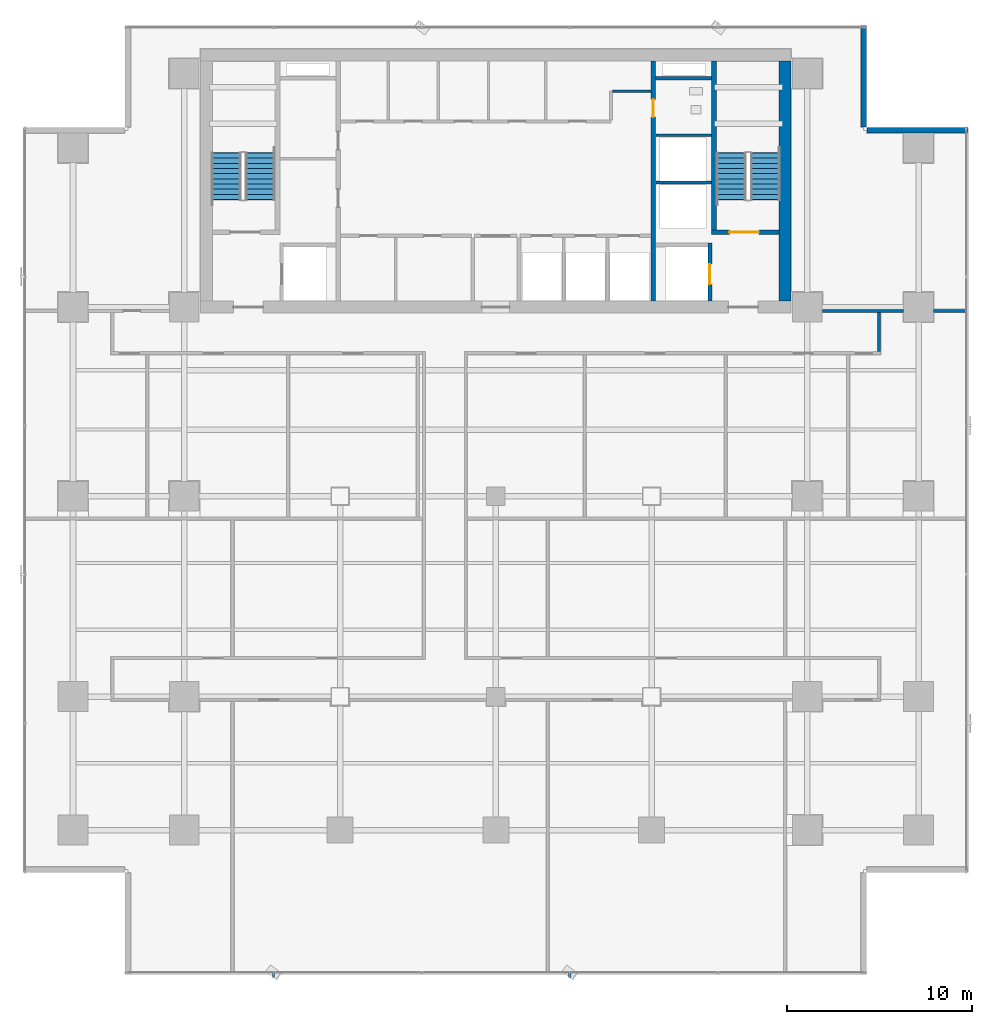
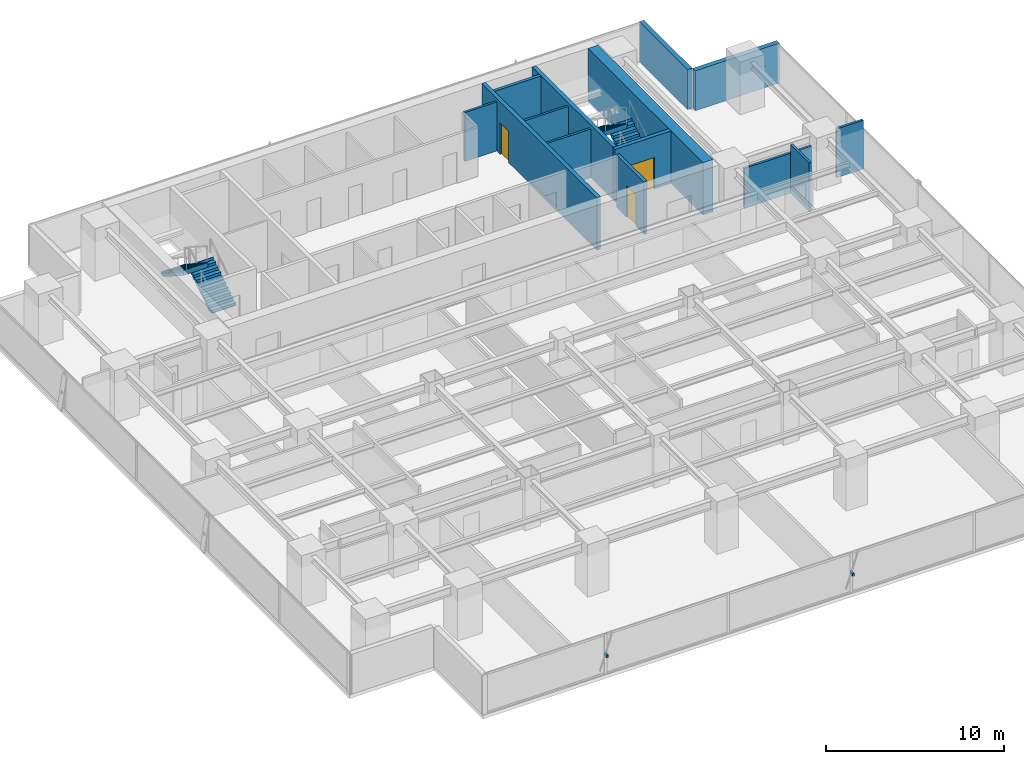
# One storey, part 28 of 34: 14 walls, 4 stair flights, 3 doors, 2 discrete accessories, 3 openings, 2 elements without a shape of their own.
"""IFC4 building model written with IfcOpenShell, lengths in metres."""

from ifc_helpers import new_model, si_unit, direction, frame, frame_2d, origin, origin_2d, place, context, subcontext, project, spatial, polyline, rectangle, outline, extrude, source, transform, mapped, material, layer, layer_set, material_profile, profile_set, type_object, element, fill, aggregate, save


model = new_model("IFC4")

# Units and contexts
model_context = context("Model", 3, precision=1e-05, world=origin(), true_north=direction((0.0, 1.0)))
body_context = subcontext(model_context, "Body", "Model", "MODEL_VIEW")
ifc_project = project(units=[si_unit("LENGTHUNIT", "METRE"), si_unit("AREAUNIT", "SQUARE_METRE"), si_unit("VOLUMEUNIT", "CUBIC_METRE"), si_unit("PLANEANGLEUNIT", "RADIAN"), si_unit("MASSUNIT", "GRAM", prefix="KILO")], contexts=[model_context])

# Site, building, storey
site_placement = place(None, origin())
site = spatial("IfcSite", under=ifc_project, at=site_placement, CompositionType="ELEMENT")
building_placement = place(site_placement, origin())
building = spatial("IfcBuilding", under=site, at=building_placement, Name="Sumidabori Civic Tower", CompositionType="ELEMENT")
storey_placement = place(building_placement, frame((0.0, 0.0, 99.199951171875)))
storey = spatial("IfcBuildingStorey", under=building, at=storey_placement, Name="L25", CompositionType="ELEMENT", Elevation=99.199951171875)

# Walls
ifc_material_1 = material(Name="Concrete C50/60", Category="concrete")
ifc_layer_1 = layer(ifc_material_1, 0.199951171875, Name="Concrete C50/60")
ifc_layer_set_1 = layer_set([ifc_layer_1], Name="Concrete C50/60")
wall_type_1 = type_object("IfcWallType", Name="WL-SHAFT-200", PredefinedType="SHEAR", material=ifc_layer_set_1)
shared_shape_1 = source(origin(), body_context, "Body", "SweptSolid", [
    extrude(rectangle(XDim=3.02001953125, YDim=0.199951171875, at=frame_2d((1.510009765625, 0.0))), origin(), (0.0, 0.0, 1.0), 3.60009765625),
])
wall_1_placement = place(storey_placement, frame((8.625, 22.550048828125, 0.0), z_axis=(0.0, 0.0, 1.0), x_axis=(1.0, 0.0, 0.0)))
element("IfcWall", 1, at=wall_1_placement, inside=storey, type_object=wall_type_1, Name="Core Shear Wall L25 RIS2-S", PredefinedType="SHEAR", context=body_context, shape_type="MappedRepresentation", body=[
    mapped(shared_shape_1, transform((0.0, 0.0, 0.0), x_axis=(1.0, 0.0, 0.0), y_axis=(0.0, 1.0, 0.0), z_axis=(0.0, 0.0, 1.0), scale=1.0)),
])
ifc_material_2 = material(Name="Concrete C60/75", Category="concrete")
ifc_layer_2 = layer(ifc_material_2, 0.64990234375, Name="Concrete C60/75")
ifc_layer_set_2 = layer_set([ifc_layer_2], Name="Concrete C60/75")
wall_type_2 = type_object("IfcWallType", Name="WL-CORE-650", PredefinedType="SHEAR", material=ifc_layer_set_2)
shared_shape_2 = source(origin(), body_context, "Body", "SweptSolid", [
    extrude(rectangle(XDim=12.9501953125, YDim=0.64990234375, at=frame_2d((6.47509765625, 0.0))), origin(), (0.0, 0.0, 1.0), 3.60009765625),
])
wall_2_placement = place(storey_placement, frame((15.60009765625, 10.52490234375, 0.0), z_axis=(0.0, 0.0, 1.0), x_axis=(0.0, 1.0, 0.0)))
element("IfcWall", 2, at=wall_2_placement, inside=storey, type_object=wall_type_2, Name="Core Shear Wall L25 E", PredefinedType="SHEAR", context=body_context, shape_type="MappedRepresentation", body=[
    mapped(shared_shape_2, transform((0.0, 0.0, 0.0), x_axis=(1.0, 0.0, 0.0), y_axis=(0.0, 1.0, 0.0), z_axis=(0.0, 0.0, 1.0), scale=1.0)),
])

# Wall, opening, door
ifc_layer_3 = layer(ifc_material_1, 0.25, Name="Concrete C50/60")
ifc_layer_set_3 = layer_set([ifc_layer_3], Name="Concrete C50/60")
wall_type_3 = type_object("IfcWallType", Name="WL-SHAFT-250", PredefinedType="SHEAR", material=ifc_layer_set_3)
shared_shape_3 = source(origin(), body_context, "Body", "SweptSolid", [
    extrude(rectangle(XDim=12.9501953125, YDim=0.25, at=frame_2d((6.47509765625, 0.0))), origin(), (0.0, 0.0, 1.0), 3.60009765625),
])
wall_3_placement = place(storey_placement, frame((8.5, 10.52490234375, 0.0), z_axis=(0.0, 0.0, 1.0), x_axis=(0.0, 1.0, 0.0)))
wall_3 = element("IfcWall", 3, at=wall_3_placement, inside=storey, type_object=wall_type_3, Name="Core Shear Wall L25 WEB-E", PredefinedType="SHEAR", context=body_context, shape_type="MappedRepresentation", body=[
    mapped(shared_shape_3, transform((0.0, 0.0, 0.0), x_axis=(1.0, 0.0, 0.0), y_axis=(0.0, 1.0, 0.0), z_axis=(0.0, 0.0, 1.0), scale=1.0)),
])
opening_1_placement = place(wall_3_placement, frame((9.925048828125, 0.0, 0.0)))
opening_1 = element("IfcOpeningElement", 4, at=opening_1_placement, cuts=wall_3, Name="Opening DR-2", PredefinedType="OPENING", context=body_context, shape_type="SweptSolid", body=[
    extrude(rectangle(XDim=0.949951171875, YDim=2.14990234375, at=frame_2d((0.47509765625, 1.074951171875))), frame((0.0, 0.136962890625, 0.0), z_axis=(0.0, -1.0, 0.0), x_axis=(1.0, 0.0, 0.0)), (0.0, 0.0, 1.0), 0.27392578125),
])
ifc_material_3 = material(Name="Japanese Hinoki Timber", Category="wood")
door_type_1 = type_object("IfcDoorType", Name="DR-INT-950", OperationType="NOTDEFINED", PredefinedType="DOOR", material=ifc_material_3)
shared_shape_4 = source(origin(), body_context, "Body", "SweptSolid", [
    extrude(rectangle(XDim=0.949951171875, YDim=2.14990234375, at=frame_2d((0.47509765625, 1.074951171875))), frame((0.0, 0.02490234375, 0.0), z_axis=(0.0, -1.0, 0.0), x_axis=(1.0, 0.0, 0.0)), (0.0, 0.0, 1.0), 0.050048828125),
])
door_1_placement = place(opening_1_placement, origin())
door_1 = element("IfcDoor", 5, at=door_1_placement, inside=storey, type_object=door_type_1, Name="Door DR:L25:WC-ACC", OperationType="SINGLE_SWING_RIGHT", OverallHeight=2.14990234375, OverallWidth=0.949951171875, PredefinedType="DOOR", context=body_context, shape_type="MappedRepresentation", body=[
    mapped(shared_shape_4, transform((0.0, 0.0, 0.0), x_axis=(1.0, 0.0, 0.0), y_axis=(0.0, 1.0, 0.0), z_axis=(0.0, 0.0, 1.0), scale=1.0)),
])
fill(opening_1, door_1)

shared_shape_5 = source(origin(), body_context, "Body", "SweptSolid", [
    extrude(rectangle(XDim=3.6298828125, YDim=0.25, at=frame_2d((1.81494140625, 0.0))), origin(), (0.0, 0.0, 1.0), 3.60009765625),
])
wall_4_placement = place(storey_placement, frame((11.64501953125, 14.25, 0.0), z_axis=(0.0, 0.0, 1.0), x_axis=(1.0, 0.0, 0.0)))
wall_4 = element("IfcWall", 6, at=wall_4_placement, inside=storey, type_object=wall_type_3, Name="Core Shear Wall L25 ST2-S", PredefinedType="SHEAR", context=body_context, shape_type="MappedRepresentation", body=[
    mapped(shared_shape_5, transform((0.0, 0.0, 0.0), x_axis=(1.0, 0.0, 0.0), y_axis=(0.0, 1.0, 0.0), z_axis=(0.0, 0.0, 1.0), scale=1.0)),
])
opening_2_placement = place(wall_4_placement, frame((0.949951171875, 0.0, 0.0)))
opening_2 = element("IfcOpeningElement", 7, at=opening_2_placement, cuts=wall_4, Name="Opening DR-FD4", PredefinedType="OPENING", context=body_context, shape_type="SweptSolid", body=[
    extrude(rectangle(XDim=1.60009765625, YDim=2.14990234375, at=frame_2d((0.800048828125, 1.074951171875))), frame((0.0, 0.136962890625, 0.0), z_axis=(0.0, -1.0, 0.0), x_axis=(1.0, 0.0, 0.0)), (0.0, 0.0, 1.0), 0.27392578125),
])
ifc_material_4 = material(Name="Steel SN490", Category="steel")
door_type_2 = type_object("IfcDoorType", Name="DR-FD4", OperationType="DOUBLE_DOOR_SINGLE_SWING", PredefinedType="DOOR", material=ifc_material_4)
shared_shape_6 = source(origin(), body_context, "Body", "SweptSolid", [
    extrude(rectangle(XDim=1.60009765625, YDim=2.14990234375, at=frame_2d((0.800048828125, 1.074951171875))), frame((0.0, 0.02490234375, 0.0), z_axis=(0.0, -1.0, 0.0), x_axis=(1.0, 0.0, 0.0)), (0.0, 0.0, 1.0), 0.050048828125),
])
door_2_placement = place(opening_2_placement, origin())
door_2 = element("IfcDoor", 8, at=door_2_placement, inside=storey, type_object=door_type_2, Name="Door DR:L25:ST2", OperationType="DOUBLE_DOOR_SINGLE_SWING", OverallHeight=2.14990234375, OverallWidth=1.60009765625, PredefinedType="DOOR", context=body_context, shape_type="MappedRepresentation", body=[
    mapped(shared_shape_6, transform((0.0, 0.0, 0.0), x_axis=(1.0, 0.0, 0.0), y_axis=(0.0, 1.0, 0.0), z_axis=(0.0, 0.0, 1.0), scale=1.0)),
])
fill(opening_2, door_2)

# Wall
shared_shape_7 = source(origin(), body_context, "Body", "SweptSolid", [
    extrude(rectangle(XDim=9.10009765625, YDim=0.25, at=frame_2d((4.550048828125, 0.0))), origin(), (0.0, 0.0, 1.0), 3.60009765625),
])
wall_5_placement = place(storey_placement, frame((11.77001953125, 14.375, 0.0), z_axis=(0.0, 0.0, 1.0), x_axis=(0.0, 1.0, 0.0)))
element("IfcWall", 9, at=wall_5_placement, inside=storey, type_object=wall_type_3, Name="Core Shear Wall L25 ST2-W", PredefinedType="SHEAR", context=body_context, shape_type="MappedRepresentation", body=[
    mapped(shared_shape_7, transform((0.0, 0.0, 0.0), x_axis=(1.0, 0.0, 0.0), y_axis=(0.0, 1.0, 0.0), z_axis=(0.0, 0.0, 1.0), scale=1.0)),
])

# Wall, opening, door
shared_shape_8 = source(origin(), body_context, "Body", "SweptSolid", [
    extrude(rectangle(XDim=3.125, YDim=0.199951171875, at=frame_2d((1.5625, 0.0))), origin(), (0.0, 0.0, 1.0), 3.60009765625),
])
wall_6_placement = place(storey_placement, frame((11.550048828125, 10.52490234375, 0.0), z_axis=(0.0, 0.0, 1.0), x_axis=(0.0, 1.0, 0.0)))
wall_6 = element("IfcWall", 10, at=wall_6_placement, inside=storey, type_object=wall_type_1, Name="Core Shear Wall L25 EL2-E", PredefinedType="SHEAR", context=body_context, shape_type="MappedRepresentation", body=[
    mapped(shared_shape_8, transform((0.0, 0.0, 0.0), x_axis=(1.0, 0.0, 0.0), y_axis=(0.0, 1.0, 0.0), z_axis=(0.0, 0.0, 1.0), scale=1.0)),
])
opening_3_placement = place(wall_6_placement, frame((0.89990234375, 0.0, 0.0)))
opening_3 = element("IfcOpeningElement", 11, at=opening_3_placement, cuts=wall_6, Name="Opening LD-2", PredefinedType="OPENING", context=body_context, shape_type="SweptSolid", body=[
    extrude(rectangle(XDim=1.10009765625, YDim=2.14990234375, at=frame_2d((0.550048828125, 1.074951171875))), frame((0.0, 0.11181640625, 0.0), z_axis=(0.0, -1.0, 0.0), x_axis=(1.0, 0.0, 0.0)), (0.0, 0.0, 1.0), 0.223876953125),
])
ifc_material_5 = material(Name="Stainless Steel Hairline Finish", Category="steel")
door_type_3 = type_object("IfcDoorType", Name="DR-LD2", OperationType="DOUBLE_DOOR_SLIDING", PredefinedType="DOOR", material=ifc_material_5)
shared_shape_9 = source(origin(), body_context, "Body", "SweptSolid", [
    extrude(rectangle(XDim=1.10009765625, YDim=2.14990234375, at=frame_2d((0.550048828125, 1.074951171875))), frame((0.0, 0.02490234375, 0.0), z_axis=(0.0, -1.0, 0.0), x_axis=(1.0, 0.0, 0.0)), (0.0, 0.0, 1.0), 0.050048828125),
])
door_3_placement = place(opening_3_placement, origin())
door_3 = element("IfcDoor", 12, at=door_3_placement, inside=storey, type_object=door_type_3, Name="Door DR:L25:LD-EL2", OperationType="DOUBLE_DOOR_SLIDING", OverallHeight=2.14990234375, OverallWidth=1.10009765625, PredefinedType="DOOR", context=body_context, shape_type="MappedRepresentation", body=[
    mapped(shared_shape_9, transform((0.0, 0.0, 0.0), x_axis=(1.0, 0.0, 0.0), y_axis=(0.0, 1.0, 0.0), z_axis=(0.0, 0.0, 1.0), scale=1.0)),
])
fill(opening_3, door_3)

# Walls
ifc_material_6 = material(Name="Precast concrete C40/50", Category="concrete")
ifc_layer_4 = layer(ifc_material_6, 0.300048828125, Name="Precast concrete C40/50")
ifc_layer_set_4 = layer_set([ifc_layer_4], Name="Precast concrete C40/50")
wall_type_4 = type_object("IfcWallType", Name="WL-EXT-POD300", PredefinedType="STANDARD", material=ifc_layer_set_4)
shared_shape_10 = source(origin(), body_context, "Body", "SweptSolid", [
    extrude(rectangle(XDim=5.4599609375, YDim=0.300048828125, at=frame_2d((2.72998046875, 0.0))), origin(), (0.0, 0.0, 1.0), 2.739990234375),
])
for number, where, z_axis, x_axis, name in (
    (13, (25.47998046875, 19.75, 0.0), (0.0, 0.0, 1.0), (-1.0, 0.0, 0.0), "Notched Corner Spandrel Band L25-05"),
    (14, (19.85009765625, 19.919921875, 0.0), (0.0, 0.0, 1.0), (0.0, 1.0, 0.0), "Notched Corner Spandrel Band L25-06"),
):
    element("IfcWall", number, at=place(storey_placement, frame(where, z_axis=z_axis, x_axis=x_axis)), inside=storey, type_object=wall_type_4, Name=name, PredefinedType="STANDARD", context=body_context, shape_type="MappedRepresentation", body=[
        mapped(shared_shape_10, transform((0.0, 0.0, 0.0), x_axis=(1.0, 0.0, 0.0), y_axis=(0.0, 1.0, 0.0), z_axis=(0.0, 0.0, 1.0), scale=1.0)),
    ])
ifc_material_7 = material(Name="Gypsum Plasterboard Acoustic Partition")
ifc_layer_5 = layer(ifc_material_7, 0.14990234375, Name="Gypsum Plasterboard Acoustic Partition")
ifc_layer_set_5 = layer_set([ifc_layer_5], Name="Gypsum Plasterboard Acoustic Partition")
wall_type_5 = type_object("IfcWallType", Name="WL-PART-150", PredefinedType="PARTITIONING", material=ifc_layer_set_5)
shared_shape_11 = source(origin(), body_context, "Body", "SweptSolid", [
    extrude(rectangle(XDim=3.010009765625, YDim=0.14990234375, at=frame_2d((1.5048828125, 0.0))), origin(), (0.0, 0.0, 1.0), 3.360107421875),
])
for number, where, z_axis, x_axis, name in (
    (15, (8.6298828125, 16.919921875, 0.0), (0.0, 0.0, 1.0), (1.0, 0.0, 0.0), "Interior Partition WL:L25:DIV-OBS1"),
    (16, (8.6298828125, 19.469970703125, 0.0), (0.0, 0.0, 1.0), (1.0, 0.0, 0.0), "Interior Partition WL:L25:DIV-OBS2"),
):
    element("IfcWall", number, at=place(storey_placement, frame(where, z_axis=z_axis, x_axis=x_axis)), inside=storey, type_object=wall_type_5, Name=name, PredefinedType="PARTITIONING", context=body_context, shape_type="MappedRepresentation", body=[
        mapped(shared_shape_11, transform((0.0, 0.0, 0.0), x_axis=(1.0, 0.0, 0.0), y_axis=(0.0, 1.0, 0.0), z_axis=(0.0, 0.0, 1.0), scale=1.0)),
    ])
shared_shape_12 = source(origin(), body_context, "Body", "SweptSolid", [
    extrude(rectangle(XDim=2.070068359375, YDim=0.14990234375, at=frame_2d((1.03515625, 0.0))), origin(), (0.0, 0.0, 1.0), 3.360107421875),
])
wall_7_placement = place(storey_placement, frame((6.300048828125, 21.85009765625, 0.0), z_axis=(0.0, 0.0, 1.0), x_axis=(1.0, 0.0, 0.0)))
element("IfcWall", 17, at=wall_7_placement, inside=storey, type_object=wall_type_5, Name="Interior Partition WL:L25:CBAND-ME2", PredefinedType="PARTITIONING", context=body_context, shape_type="MappedRepresentation", body=[
    mapped(shared_shape_12, transform((0.0, 0.0, 0.0), x_axis=(1.0, 0.0, 0.0), y_axis=(0.0, 1.0, 0.0), z_axis=(0.0, 0.0, 1.0), scale=1.0)),
])
shared_shape_13 = source(origin(), body_context, "Body", "SweptSolid", [
    extrude(rectangle(XDim=1.739990234375, YDim=0.14990234375, at=frame_2d((0.8701171875, 0.0))), origin(), (0.0, 0.0, 1.0), 3.360107421875),
])
wall_8_placement = place(storey_placement, frame((23.610107421875, 10.0, 0.0), z_axis=(0.0, 0.0, 1.0), x_axis=(1.0, 0.0, 0.0)))
element("IfcWall", 18, at=wall_8_placement, inside=storey, type_object=wall_type_5, Name="Interior Partition WL:L25:FLK-NE-2", PredefinedType="PARTITIONING", context=body_context, shape_type="MappedRepresentation", body=[
    mapped(shared_shape_13, transform((0.0, 0.0, 0.0), x_axis=(1.0, 0.0, 0.0), y_axis=(0.0, 1.0, 0.0), z_axis=(0.0, 0.0, 1.0), scale=1.0)),
])
shared_shape_14 = source(origin(), body_context, "Body", "SweptSolid", [
    extrude(rectangle(XDim=4.3798828125, YDim=0.14990234375, at=frame_2d((2.18994140625, 0.0))), origin(), (0.0, 0.0, 1.0), 2.7451171875),
])
wall_9_placement = place(storey_placement, frame((17.610107421875, 10.0, 0.0), z_axis=(0.0, 0.0, 1.0), x_axis=(1.0, 0.0, 0.0)))
element("IfcWall", 19, at=wall_9_placement, inside=storey, type_object=wall_type_5, Name="Interior Partition WL:L25:FLK-NE-1", PredefinedType="PARTITIONING", context=body_context, shape_type="MappedRepresentation", body=[
    mapped(shared_shape_14, transform((0.0, 0.0, 0.0), x_axis=(1.0, 0.0, 0.0), y_axis=(0.0, 1.0, 0.0), z_axis=(0.0, 0.0, 1.0), scale=1.0)),
])
shared_shape_15 = source(origin(), body_context, "Body", "SweptSolid", [
    extrude(rectangle(XDim=2.114990234375, YDim=0.14990234375, at=frame_2d((1.0576171875, 0.0))), origin(), (0.0, 0.0, 1.0), 3.360107421875),
])
wall_10_placement = place(storey_placement, frame((20.675048828125, 7.804931640625, 0.0), z_axis=(0.0, 0.0, 1.0), x_axis=(0.0, 1.0, 0.0)))
element("IfcWall", 20, at=wall_10_placement, inside=storey, type_object=wall_type_5, Name="Interior Partition WL:L25:CORR-VNE", PredefinedType="PARTITIONING", context=body_context, shape_type="MappedRepresentation", body=[
    mapped(shared_shape_15, transform((0.0, 0.0, 0.0), x_axis=(1.0, 0.0, 0.0), y_axis=(0.0, 1.0, 0.0), z_axis=(0.0, 0.0, 1.0), scale=1.0)),
])

# Stair, stair flights
ifc_material_8 = material(Name="Concrete C40/50", Category="concrete")
stair_type = type_object("IfcStairType", Name="ST-CORE-1600", PredefinedType="HALF_TURN_STAIR", material=ifc_material_8)
stair_1_placement = place(storey_placement, origin())
stair_1 = element("IfcStair", 21, at=stair_1_placement, inside=storey, type_object=stair_type, Name="L25 ST-1", PredefinedType="HALF_TURN_STAIR")
stair_flight_type = type_object("IfcStairFlightType", Name="SF-CORE-1600", PredefinedType="STRAIGHT", material=ifc_material_8)
shared_shape_16 = source(origin(), body_context, "Body", "SweptSolid", [
    extrude(outline(polyline([(-0.02490234375, 0.0), (-0.02490234375, 0.0400390625), (0.0, 0.0400390625), (0.0, 0.179931640625), (0.280029296875, 0.179931640625), (0.280029296875, 0.360107421875), (0.56005859375, 0.360107421875), (0.56005859375, 0.5400390625), (0.840087890625, 0.5400390625), (0.840087890625, 0.719970703125), (1.1201171875, 0.719970703125), (1.1201171875, 0.89990234375), (1.39990234375, 0.89990234375), (1.39990234375, 1.080078125), (1.679931640625, 1.080078125), (1.679931640625, 1.260009765625), (1.9599609375, 1.260009765625), (1.9599609375, 1.43994140625), (2.239990234375, 1.43994140625), (2.239990234375, 1.6201171875), (2.52001953125, 1.6201171875), (2.52001953125, 1.800048828125), (2.544921875, 1.800048828125), (2.544921875, 1.650146484375), (2.52001953125, 1.44189453125), (0.277099609375, 0.0), (-0.02490234375, 0.0)])), frame((0.0, 0.800048828125, 0.0), z_axis=(0.0, -1.0, 0.0), x_axis=(1.0, 0.0, 0.0)), (0.0, 0.0, 1.0), 1.60009765625),
])
stair_flight_1_placement = place(storey_placement, frame((-12.699951171875, 16.0, 0.0), z_axis=(0.0, 0.0, 1.0), x_axis=(0.0, 1.0, 0.0)))
stair_flight_1 = element("IfcStairFlight", 22, at=stair_flight_1_placement, type_object=stair_flight_type, Name="ST-1 flight 1", NumberOfRisers=10, NumberOfTreads=9, PredefinedType="STRAIGHT", RiserHeight=0.18, TreadLength=0.28, context=body_context, shape_type="MappedRepresentation", body=[
    mapped(shared_shape_16, transform((0.0, 0.0, 0.0), x_axis=(1.0, 0.0, 0.0), y_axis=(0.0, 1.0, 0.0), z_axis=(0.0, 0.0, 1.0), scale=1.0)),
])
stair_flight_2_placement = place(storey_placement, frame((-14.5400390625, 18.52001953125, 1.800048828125), z_axis=(0.0, 0.0, 1.0), x_axis=(0.0, -1.0, 0.0)))
stair_flight_2 = element("IfcStairFlight", 23, at=stair_flight_2_placement, type_object=stair_flight_type, Name="ST-1 flight 2", NumberOfRisers=10, NumberOfTreads=9, PredefinedType="STRAIGHT", RiserHeight=0.18, TreadLength=0.28, context=body_context, shape_type="MappedRepresentation", body=[
    mapped(shared_shape_16, transform((0.0, 0.0, 0.0), x_axis=(1.0, 0.0, 0.0), y_axis=(0.0, 1.0, 0.0), z_axis=(0.0, 0.0, 1.0), scale=1.0)),
])
aggregate(stair_1, [stair_flight_1, stair_flight_2])

stair_2_placement = place(storey_placement, origin())
stair_2 = element("IfcStair", 24, at=stair_2_placement, inside=storey, type_object=stair_type, Name="L25 ST-2", PredefinedType="HALF_TURN_STAIR")
stair_flight_3_placement = place(storey_placement, frame((14.5400390625, 16.0, 0.0), z_axis=(0.0, 0.0, 1.0), x_axis=(0.0, 1.0, 0.0)))
stair_flight_3 = element("IfcStairFlight", 25, at=stair_flight_3_placement, type_object=stair_flight_type, Name="ST-2 flight 1", NumberOfRisers=10, NumberOfTreads=9, PredefinedType="STRAIGHT", RiserHeight=0.18, TreadLength=0.28, context=body_context, shape_type="MappedRepresentation", body=[
    mapped(shared_shape_16, transform((0.0, 0.0, 0.0), x_axis=(1.0, 0.0, 0.0), y_axis=(0.0, 1.0, 0.0), z_axis=(0.0, 0.0, 1.0), scale=1.0)),
])
stair_flight_4_placement = place(storey_placement, frame((12.699951171875, 18.52001953125, 1.800048828125), z_axis=(0.0, 0.0, 1.0), x_axis=(0.0, -1.0, 0.0)))
stair_flight_4 = element("IfcStairFlight", 26, at=stair_flight_4_placement, type_object=stair_flight_type, Name="ST-2 flight 2", NumberOfRisers=10, NumberOfTreads=9, PredefinedType="STRAIGHT", RiserHeight=0.18, TreadLength=0.28, context=body_context, shape_type="MappedRepresentation", body=[
    mapped(shared_shape_16, transform((0.0, 0.0, 0.0), x_axis=(1.0, 0.0, 0.0), y_axis=(0.0, 1.0, 0.0), z_axis=(0.0, 0.0, 1.0), scale=1.0)),
])
aggregate(stair_2, [stair_flight_3, stair_flight_4])

# Discrete accessories
ifc_material_profile = material_profile(ifc_material_5, rectangle(XDim=0.1201171875, YDim=0.179931640625, at=origin_2d()), Name="STEEL BRACKET 180x120")
ifc_profile_set = profile_set([ifc_material_profile], Name="Stainless Steel Hairline Finish")
discrete_accessory_type = type_object("IfcDiscreteAccessoryType", Name="AC-BRK-180", PredefinedType="BRACKET", material=ifc_profile_set)
shared_shape_17 = source(origin(), body_context, "Body", "SweptSolid", [
    extrude(rectangle(XDim=0.1201171875, YDim=0.179931640625, at=origin_2d()), origin(), (0.0, 0.0, 1.0), 0.330078125),
])
for number, where, z_axis, x_axis, name in (
    (27, (-11.98193359375, -25.6298828125, 1.360107421875), (0.0, -1.0, 0.0), (1.0, 0.0, 0.0), "Bronze Fin Fixing Bracket L25-01"),
    (28, (3.993896484375, -25.6298828125, 1.360107421875), (0.0, -1.0, 0.0), (1.0, 0.0, 0.0), "Bronze Fin Fixing Bracket L25-03"),
):
    element("IfcDiscreteAccessory", number, at=place(storey_placement, frame(where, z_axis=z_axis, x_axis=x_axis)), inside=storey, type_object=discrete_accessory_type, Name=name, PredefinedType="BRACKET", context=body_context, shape_type="MappedRepresentation", body=[
        mapped(shared_shape_17, transform((0.0, 0.0, 0.0), x_axis=(1.0, 0.0, 0.0), y_axis=(0.0, 1.0, 0.0), z_axis=(0.0, 0.0, 1.0), scale=1.0)),
    ])

save(model, "model.ifc")
